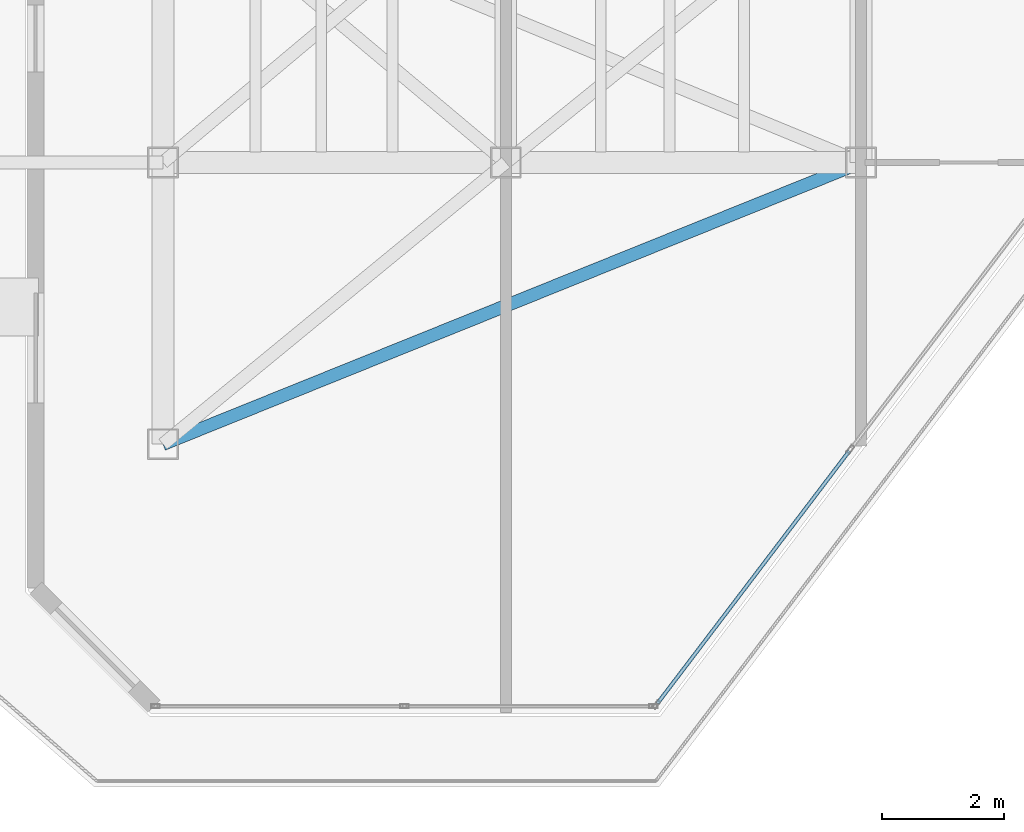
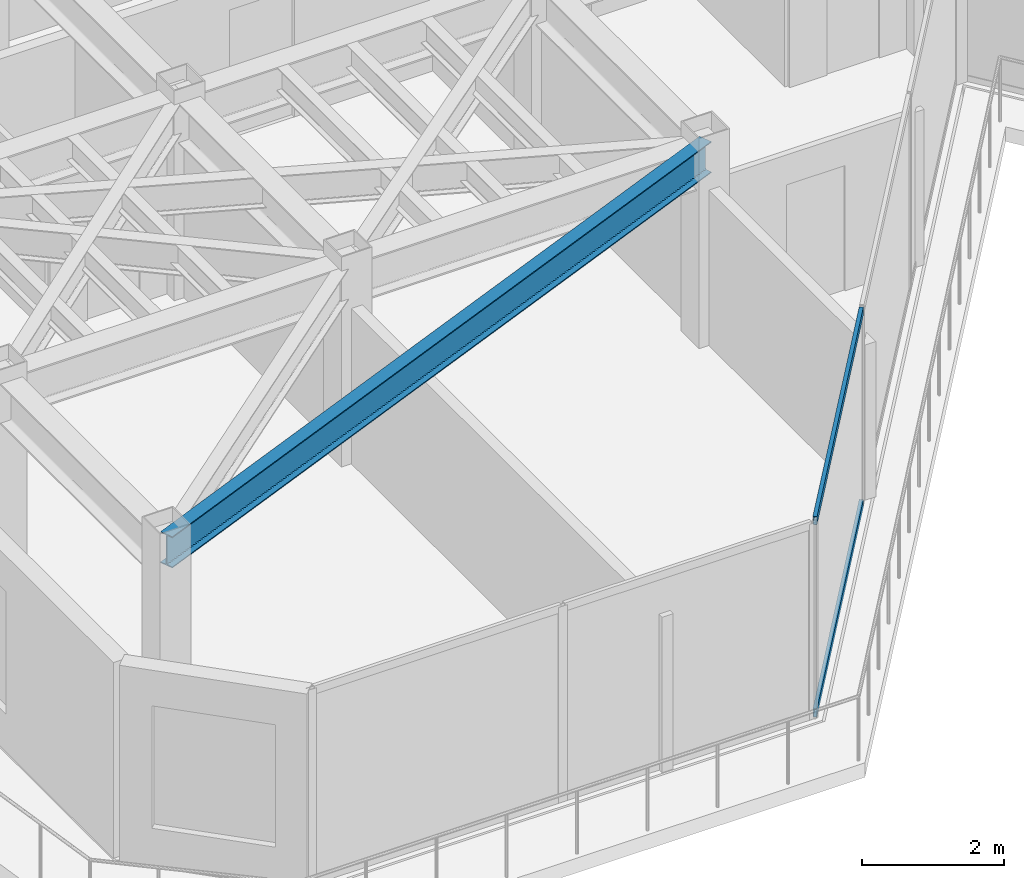
# One storey, part 3 of 20: 2 members, 1 beam, 1 element without a shape of its own.
"""IFC4 building model written with IfcOpenShell, lengths in metres."""

import ifcopenshell
import ifcopenshell.guid

model = None  # the IFC model being written
_history = None  # IfcOwnerHistory: only IFC2X3 demands one
_inside = {}  # id of a spatial element -> (the spatial element, [elements in it])
_under = {}  # id of a project, library or spatial element -> (it, [spatial elements below it])
_declared = {}  # id of a project -> (the project, [libraries it declares])
_typed = {}  # id of a type object -> (the type object, [elements of that type])
_made_of = {}  # id of a material, layer set ... -> (it, [elements and type objects made of it])


def new_model(schema):
    """Start an empty IFC model of exactly this schema.

    Asked for "IFC4X3", IfcOpenShell would pick the latest addendum, in which some entities
    have other attributes; the version numbers below select the first issue.
    IFC2X3 requires an IfcOwnerHistory on every rooted entity: one is made here for all.
    """
    global model, _history
    if schema == "IFC4X3":
        model = ifcopenshell.file(schema_version=(4, 3, 0, 0))
    else:
        model = ifcopenshell.file(schema=schema)
    _inside.clear()
    _under.clear()
    _declared.clear()
    _typed.clear()
    _made_of.clear()
    _history = None
    if model.schema == "IFC2X3":
        org = make("IfcOrganization", Name="unknown")
        user = make(
            "IfcPersonAndOrganization",
            ThePerson=make("IfcPerson", FamilyName="unknown"),
            TheOrganization=org,
        )
        app = make(
            "IfcApplication",
            ApplicationDeveloper=org,
            Version="unknown",
            ApplicationFullName="unknown",
            ApplicationIdentifier="unknown",
        )
        _history = make(
            "IfcOwnerHistory",
            OwningUser=user,
            OwningApplication=app,
            ChangeAction="ADDED",
            CreationDate=0,
        )
    return model


def make(cls, **values):
    """One entity of the class cls with the attributes given. An attribute that is None is left unset."""
    return model.create_entity(
        cls, **{name: value for name, value in values.items() if value is not None}
    )


def rooted(cls, **values):
    """An entity with a GlobalId (a new one), such as an element, a storey or a relation."""
    return make(cls, GlobalId=ifcopenshell.guid.new(), OwnerHistory=_history, **values)


def si_unit(unit_type, name, prefix=None):
    """IfcSIUnit, for example si_unit("LENGTHUNIT", "METRE", prefix="MILLI")."""
    return make("IfcSIUnit", UnitType=unit_type, Prefix=prefix, Name=name)


def assignment(units):
    """IfcUnitAssignment: the units of a project."""
    return None if units is None else make("IfcUnitAssignment", Units=units)


def point(xyz):
    """IfcCartesianPoint."""
    return None if xyz is None else make("IfcCartesianPoint", Coordinates=xyz)


def direction(xyz):
    """IfcDirection."""
    return None if xyz is None else make("IfcDirection", DirectionRatios=xyz)


def frame(location, z_axis=None, x_axis=None):
    """IfcAxis2Placement3D, a coordinate frame: its origin and axes. An axis left out is left unset."""
    return make(
        "IfcAxis2Placement3D",
        Location=point(location),
        Axis=direction(z_axis),
        RefDirection=direction(x_axis),
    )


def frame_2d(location, x_axis=None):
    """IfcAxis2Placement2D, a coordinate frame in the plane: its origin and x axis."""
    return make(
        "IfcAxis2Placement2D", Location=point(location), RefDirection=direction(x_axis)
    )


def origin():
    """The frame at (0, 0, 0) with its axes left unset."""
    return frame((0.0, 0.0, 0.0))


def origin_2d():
    """The frame at (0, 0) in the plane with its x axis left unset."""
    return frame_2d((0.0, 0.0))


def place(relative_to, where):
    """IfcLocalPlacement: puts the frame where relative to a parent placement (None: the world)."""
    return make(
        "IfcLocalPlacement", PlacementRelTo=relative_to, RelativePlacement=where
    )


def context(
    kind, dimensions, precision=None, world=None, true_north=None, identifier=None
):
    """IfcGeometricRepresentationContext, for example the 3D "Model" context."""
    return make(
        "IfcGeometricRepresentationContext",
        ContextIdentifier=identifier,
        ContextType=kind,
        CoordinateSpaceDimension=dimensions,
        Precision=precision,
        WorldCoordinateSystem=world,
        TrueNorth=true_north,
    )


def subcontext(parent, identifier, kind, view, scale=None):
    """IfcGeometricRepresentationSubContext, for example "Body" below "Model"."""
    return make(
        "IfcGeometricRepresentationSubContext",
        ContextIdentifier=identifier,
        ContextType=kind,
        ParentContext=parent,
        TargetScale=scale,
        TargetView=view,
    )


def project(units=None, contexts=None):
    """IfcProject with its units and contexts."""
    return rooted(
        "IfcProject",
        Name="project",
        RepresentationContexts=contexts,
        UnitsInContext=assignment(units),
    )


def spatial(cls, under=None, at=None, **own):
    """A site, building, storey or space (cls), placed at a placement, below another one or the project."""
    s = rooted(cls, ObjectPlacement=at, **own)
    if under is not None:
        _under.setdefault(under.id(), (under, []))[1].append(s)
    return s


def profile(cls, at=None, kind="AREA", **sizes):
    """A parametric profile (cls). Its sizes go by their IFC names, for example OverallWidth=200.0."""
    return make(cls, ProfileType=kind, Position=at, **sizes)


def hollow_rectangle(**sizes):
    """IfcRectangleHollowProfileDef."""
    return profile("IfcRectangleHollowProfileDef", **sizes)


def i_section(**sizes):
    """IfcIShapeProfileDef."""
    return profile("IfcIShapeProfileDef", **sizes)


def extrude(swept, where, along, depth):
    """IfcExtrudedAreaSolid: the profile swept, set in the frame where, extruded along a direction by depth."""
    return make(
        "IfcExtrudedAreaSolid",
        SweptArea=swept,
        Position=where,
        ExtrudedDirection=direction(along),
        Depth=depth,
    )


def shape(context_of_items, identifier, shape_type, items):
    """IfcShapeRepresentation: the items that make up one representation, for example the "Body"."""
    return make(
        "IfcShapeRepresentation",
        ContextOfItems=context_of_items,
        RepresentationIdentifier=identifier,
        RepresentationType=shape_type,
        Items=items,
    )


def material(Name=None, Category=None):
    """IfcMaterial."""
    return make("IfcMaterial", Name=Name, Category=Category)


def layer(
    of_material, thickness, ventilated=None, Name=None, Category=None, Priority=None
):
    """IfcMaterialLayer: one layer of a wall or slab, of a material (None: an air gap)."""
    return make(
        "IfcMaterialLayer",
        Material=of_material,
        LayerThickness=thickness,
        IsVentilated=ventilated,
        Name=Name,
        Category=Category,
        Priority=Priority,
    )


def layer_set(layers, Name=None):
    """IfcMaterialLayerSet."""
    return make("IfcMaterialLayerSet", MaterialLayers=layers, LayerSetName=Name)


def material_profile(
    of_material, cross_section, Name=None, Category=None, Priority=None
):
    """IfcMaterialProfile: a cross section and its material."""
    return make(
        "IfcMaterialProfile",
        Name=Name,
        Material=of_material,
        Profile=cross_section,
        Priority=Priority,
        Category=Category,
    )


def profile_set(profiles, Name=None, composite=None):
    """IfcMaterialProfileSet."""
    return make(
        "IfcMaterialProfileSet",
        Name=Name,
        MaterialProfiles=profiles,
        CompositeProfile=composite,
    )


def made_of(thing, what):
    """Note that an element or type object is made of a material, layer set ...; save() writes the relation."""
    if what is not None:
        _made_of.setdefault(what.id(), (what, []))[1].append(thing)
    return thing


def type_object(cls, material=None, **own):
    """A type object (cls), such as IfcWallType, which elements share."""
    return made_of(rooted(cls, **own), material)


def element(
    cls,
    number,
    at=None,
    inside=None,
    cuts=None,
    type_object=None,
    material=None,
    context=None,
    identifier="Body",
    shape_type=None,
    held_by="IfcProductDefinitionShape",
    body=None,
    shapes=None,
    **own,
):
    """One element of the class cls, such as IfcWall. Its Tag is "e" and its number.

    at: its placement. inside: the storey or other place that contains it. cuts: it is an
    opening in that element (IfcRelVoidsElement). A single representation is given by context,
    identifier, shape_type and body (its items); several are given by shapes. held_by: the class
    of the entity that holds the representations. save() writes the other relations.
    """
    e = rooted(cls, Tag="e%d" % number, ObjectPlacement=at, **own)
    if body is not None:
        shapes = [shape(context, identifier, shape_type, body)]
    if shapes is not None:
        e.Representation = make(held_by, Representations=shapes)
    if inside is not None:
        _inside.setdefault(inside.id(), (inside, []))[1].append(e)
    if cuts is not None:
        rooted(
            "IfcRelVoidsElement", RelatingBuildingElement=cuts, RelatedOpeningElement=e
        )
    if type_object is not None:
        _typed.setdefault(type_object.id(), (type_object, []))[1].append(e)
    return made_of(e, material)


def aggregate(whole, parts):
    """IfcRelAggregates: a whole, such as a stair, and the parts it consists of."""
    return rooted("IfcRelAggregates", RelatingObject=whole, RelatedObjects=parts)


def save(model, path):
    """Write the relations noted so far, then the file.

    IfcRelAggregates (storeys below a building ...), IfcRelContainedInSpatialStructure (elements
    in a storey), IfcRelDefinesByType, IfcRelAssociatesMaterial and IfcRelDeclares: one each for
    every whole, place, type object, material and project.
    """
    for whole, parts in _under.values():
        aggregate(whole, parts)
    for where, things in _inside.values():
        rooted(
            "IfcRelContainedInSpatialStructure",
            RelatedElements=things,
            RelatingStructure=where,
        )
    for kind, things in _typed.values():
        rooted("IfcRelDefinesByType", RelatedObjects=things, RelatingType=kind)
    for what, things in _made_of.values():
        rooted("IfcRelAssociatesMaterial", RelatedObjects=things, RelatingMaterial=what)
    for by, libraries in _declared.values():
        rooted("IfcRelDeclares", RelatingContext=by, RelatedDefinitions=libraries)
    model.write(path)


model = new_model("IFC4")

# Units and contexts
model_context = context("Model", 3, precision=1e-05, world=origin(), true_north=direction((0.0, 1.0)))
body_context = subcontext(model_context, "Body", "Model", "MODEL_VIEW")
ifc_project = project(units=[si_unit("LENGTHUNIT", "METRE"), si_unit("AREAUNIT", "SQUARE_METRE"), si_unit("VOLUMEUNIT", "CUBIC_METRE"), si_unit("PLANEANGLEUNIT", "RADIAN"), si_unit("MASSUNIT", "GRAM", prefix="KILO")], contexts=[model_context])

# Site, building, storey
site_placement = place(None, origin())
site = spatial("IfcSite", under=ifc_project, at=site_placement, CompositionType="ELEMENT")
building_placement = place(site_placement, origin())
building = spatial("IfcBuilding", under=site, at=building_placement, Name="Kravanh Interchange Tower", CompositionType="ELEMENT")
storey_placement = place(building_placement, frame((0.0, 0.0, 245.39990234375)))
storey = spatial("IfcBuildingStorey", under=building, at=storey_placement, Name="L59", CompositionType="ELEMENT", Elevation=245.39990234375)

# Curtain wall, members
ifc_material_1 = material(Name="Anodised Bronze Aluminium", Category="aluminium")
ifc_layer = layer(ifc_material_1, 0.179931640625)
ifc_layer_set = layer_set([ifc_layer], Name="Unitised Curtain Wall System CW-HTL Luxury Hotel")
curtain_wall_type = type_object("IfcCurtainWallType", Name="Unitised Curtain Wall System CW-HTL Luxury Hotel", PredefinedType="NOTDEFINED", material=ifc_layer_set)
curtain_wall_placement = place(storey_placement, origin())
curtain_wall = element("IfcCurtainWall", 1, at=curtain_wall_placement, inside=storey, type_object=curtain_wall_type, Name="L59 Unitised Curtain Wall CW-L59-05", PredefinedType="NOTDEFINED")
ifc_material_2 = material(Name="Anodised Bronze Aluminium", Category="aluminium")
ifc_material_profile_1 = material_profile(ifc_material_2, hollow_rectangle(XDim=0.06005859375, YDim=0.139892578125, WallThickness=0.00390625, at=origin_2d()), Name="ALU60X140X4")
ifc_profile_set_1 = profile_set([ifc_material_profile_1], Name="Anodised Bronze Aluminium")
member_type = type_object("IfcMemberType", Name="Curtain Wall Transom ALU60X140X4 Bronze", PredefinedType="USERDEFINED", material=ifc_profile_set_1)
member_1_placement = place(storey_placement, frame((38.408935546875, 22.0888671875, 0.030029296875), z_axis=(-0.605089246946, -0.796157649734, 0.0), x_axis=(0.796157649734, -0.605089246946, 0.0)))
member_1 = element("IfcMember", 2, at=member_1_placement, type_object=member_type, Name="CW-HTL transom 3.1", ObjectType="TRANSOM", PredefinedType="USERDEFINED", context=body_context, shape_type="SweptSolid", body=[
    extrude(hollow_rectangle(XDim=0.06005859375, YDim=0.139892578125, WallThickness=0.00390625, at=origin_2d()), origin(), (0.0, 0.0, 1.0), 5.17626953125),
])
member_2_placement = place(storey_placement, frame((38.408935546875, 22.0888671875, 3.330078125), z_axis=(-0.605089246946, -0.796157649734, 0.0), x_axis=(0.796157649734, -0.605089246946, 0.0)))
member_2 = element("IfcMember", 3, at=member_2_placement, type_object=member_type, Name="CW-HTL transom 3.2", ObjectType="TRANSOM", PredefinedType="USERDEFINED", context=body_context, shape_type="SweptSolid", body=[
    extrude(hollow_rectangle(XDim=0.06005859375, YDim=0.139892578125, WallThickness=0.00390625, at=origin_2d()), origin(), (0.0, 0.0, 1.0), 5.17626953125),
])
aggregate(curtain_wall, [member_1, member_2])

# Beam
ifc_material_3 = material(Name="Structural Steel S355", Category="steel")
ifc_material_profile_2 = material_profile(ifc_material_3, i_section(OverallWidth=0.2099609375, OverallDepth=0.537109375, WebThickness=0.010986328125, FlangeThickness=0.017333984375, FilletRadius=0.02001953125, at=origin_2d()), Name="W21X68")
ifc_profile_set_2 = profile_set([ifc_material_profile_2], Name="Structural Steel S355")
beam_type = type_object("IfcBeamType", Name="Floor Spandrel W21X68 Structural Steel S355", PredefinedType="SPANDREL", material=ifc_profile_set_2)
beam_placement = place(storey_placement, frame((38.60009765625, 26.800048828125, 3.091552734375), z_axis=(-0.927349344428, -0.374196730864, 0.0), x_axis=(0.374196730864, -0.927349344428, 0.0)))
element("IfcBeam", 4, at=beam_placement, inside=storey, type_object=beam_type, Name="L59 Perimeter Spandrel 30", PredefinedType="SPANDREL", context=body_context, shape_type="SweptSolid", body=[
    extrude(i_section(OverallWidth=0.2099609375, OverallDepth=0.537109375, WebThickness=0.010986328125, FlangeThickness=0.017333984375, FilletRadius=0.02001953125, at=origin_2d()), origin(), (0.0, 0.0, 1.0), 12.293212890625),
])

save(model, "model.ifc")
